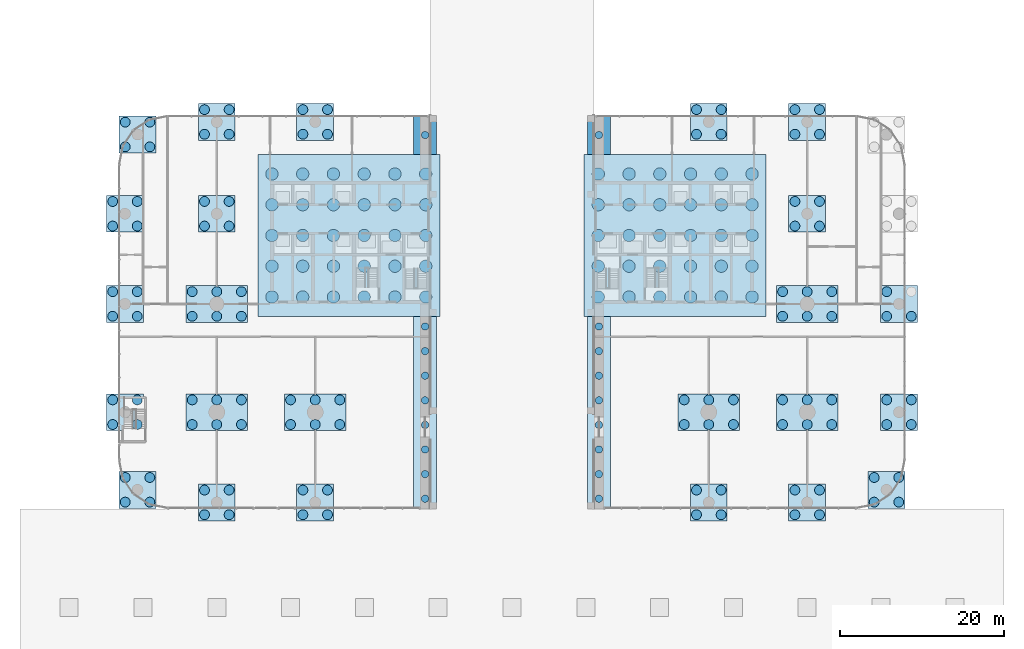
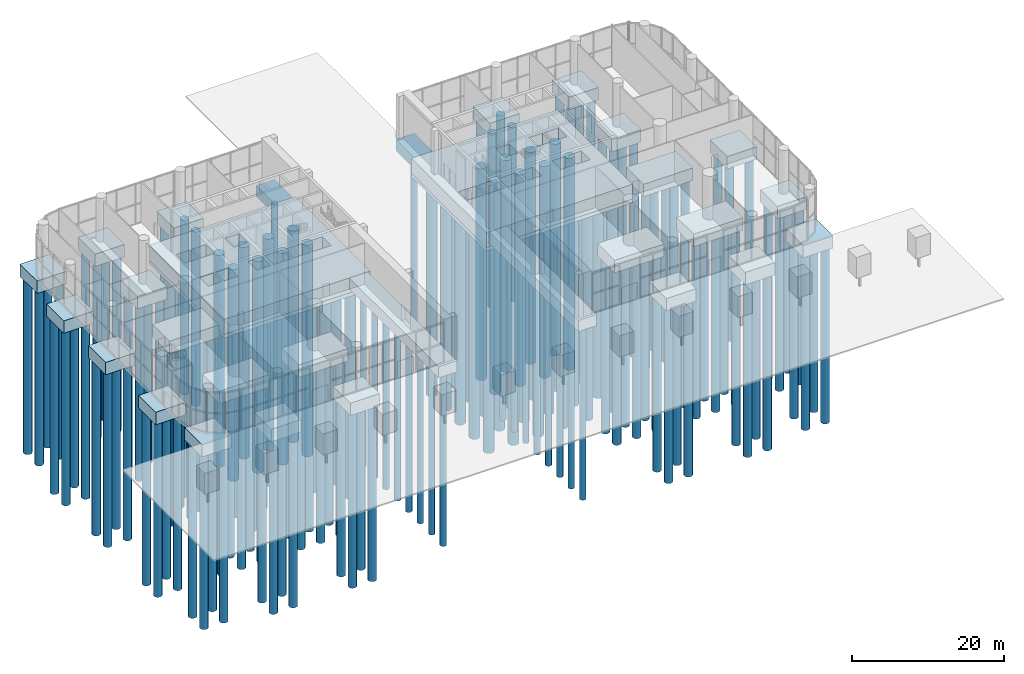
# One storey, part 1 of 26: 185 piles, 32 footings.
"""IFC4 building model written with IfcOpenShell, lengths in metres."""

from ifc_helpers import new_model, si_unit, direction, frame, origin, origin_2d, place, context, subcontext, project, spatial, polyline, rectangle, circle, outline, extrude, material, type_object, element, save


model = new_model("IFC4")

# Units and contexts
model_context = context("Model", 3, precision=1e-05, world=origin(), true_north=direction((0.0, 1.0)))
body_context = subcontext(model_context, "Body", "Model", "MODEL_VIEW")
ifc_project = project(units=[si_unit("LENGTHUNIT", "METRE"), si_unit("AREAUNIT", "SQUARE_METRE"), si_unit("VOLUMEUNIT", "CUBIC_METRE"), si_unit("PLANEANGLEUNIT", "RADIAN"), si_unit("MASSUNIT", "GRAM", prefix="KILO")], contexts=[model_context])

# Site, building, storey
site_placement = place(None, origin())
site = spatial("IfcSite", under=ifc_project, at=site_placement, CompositionType="ELEMENT")
building_placement = place(site_placement, origin())
building = spatial("IfcBuilding", under=site, at=building_placement, Name="Torana Hotel and Residences", CompositionType="ELEMENT")
storey_placement = place(building_placement, origin())
storey = spatial("IfcBuildingStorey", under=building, at=storey_placement, Name="L00", CompositionType="ELEMENT", Elevation=0.0)

# Piles
ifc_material_1 = material(Name="Concrete C50/60", Category="concrete")
pile_type_1 = type_object("IfcPileType", Name="BORED PILE D1200", PredefinedType="BORED", material=ifc_material_1)
for number, where, z_axis, x_axis, name in (
    (1, (-48.699951171875, -29.699951171875, -2.300048828125), (0.0, 0.0, -1.0), (1.0, 0.0, 0.0), "Bored pile PC1"),
    (2, (-45.699951171875, -29.699951171875, -2.300048828125), (0.0, 0.0, -1.0), (1.0, 0.0, 0.0), "Bored pile PC1"),
    (3, (-48.699951171875, -26.699951171875, -2.300048828125), (0.0, 0.0, -1.0), (1.0, 0.0, 0.0), "Bored pile PC1"),
    (4, (-45.699951171875, -26.699951171875, -2.300048828125), (0.0, 0.0, -1.0), (1.0, 0.0, 0.0), "Bored pile PC1"),
    (5, (-48.699951171875, -16.5, -2.300048828125), (0.0, 0.0, -1.0), (1.0, 0.0, 0.0), "Bored pile PC1"),
    (6, (-45.699951171875, -16.5, -2.300048828125), (0.0, 0.0, -1.0), (1.0, 0.0, 0.0), "Bored pile PC1"),
    (7, (-48.699951171875, -13.5, -2.300048828125), (0.0, 0.0, -1.0), (1.0, 0.0, 0.0), "Bored pile PC1"),
    (8, (-45.699951171875, -13.5, -2.300048828125), (0.0, 0.0, -1.0), (1.0, 0.0, 0.0), "Bored pile PC1"),
    (9, (-48.699951171875, -5.5, -2.300048828125), (0.0, 0.0, -1.0), (1.0, 0.0, 0.0), "Bored pile PC1"),
    (10, (-45.699951171875, -5.5, -2.300048828125), (0.0, 0.0, -1.0), (1.0, 0.0, 0.0), "Bored pile PC1"),
    (11, (-48.699951171875, -2.5, -2.300048828125), (0.0, 0.0, -1.0), (1.0, 0.0, 0.0), "Bored pile PC1"),
    (12, (-45.699951171875, -2.5, -2.300048828125), (0.0, 0.0, -1.0), (1.0, 0.0, 0.0), "Bored pile PC1"),
    (13, (-47.166015625, -39.166015625, -2.300048828125), (0.0, 0.0, -1.0), (1.0, 0.0, 0.0), "Bored pile PC1"),
    (14, (-44.166015625, -39.166015625, -2.300048828125), (0.0, 0.0, -1.0), (1.0, 0.0, 0.0), "Bored pile PC1"),
    (15, (-47.166015625, -36.166015625, -2.300048828125), (0.0, 0.0, -1.0), (1.0, 0.0, 0.0), "Bored pile PC1"),
    (16, (-44.166015625, -36.166015625, -2.300048828125), (0.0, 0.0, -1.0), (1.0, 0.0, 0.0), "Bored pile PC1"),
    (17, (-47.166015625, 4.166015625, -2.300048828125), (0.0, 0.0, -1.0), (1.0, 0.0, 0.0), "Bored pile PC1"),
    (18, (-44.166015625, 4.166015625, -2.300048828125), (0.0, 0.0, -1.0), (1.0, 0.0, 0.0), "Bored pile PC1"),
    (19, (-47.166015625, 7.166015625, -2.300048828125), (0.0, 0.0, -1.0), (1.0, 0.0, 0.0), "Bored pile PC1"),
    (20, (-44.166015625, 7.166015625, -2.300048828125), (0.0, 0.0, -1.0), (1.0, 0.0, 0.0), "Bored pile PC1"),
    (21, (-37.5, -40.699951171875, -2.300048828125), (0.0, 0.0, -1.0), (1.0, 0.0, 0.0), "Bored pile PC1"),
    (22, (-34.5, -40.699951171875, -2.300048828125), (0.0, 0.0, -1.0), (1.0, 0.0, 0.0), "Bored pile PC1"),
    (23, (-37.5, -37.699951171875, -2.300048828125), (0.0, 0.0, -1.0), (1.0, 0.0, 0.0), "Bored pile PC1"),
    (24, (-34.5, -37.699951171875, -2.300048828125), (0.0, 0.0, -1.0), (1.0, 0.0, 0.0), "Bored pile PC1"),
    (25, (-39.0, -29.699951171875, -2.300048828125), (0.0, 0.0, -1.0), (1.0, 0.0, 0.0), "Bored pile PC3"),
    (26, (-36.0, -29.699951171875, -2.300048828125), (0.0, 0.0, -1.0), (1.0, 0.0, 0.0), "Bored pile PC3"),
    (27, (-33.0, -29.699951171875, -2.300048828125), (0.0, 0.0, -1.0), (1.0, 0.0, 0.0), "Bored pile PC3"),
    (28, (-39.0, -26.699951171875, -2.300048828125), (0.0, 0.0, -1.0), (1.0, 0.0, 0.0), "Bored pile PC3"),
    (29, (-36.0, -26.699951171875, -2.300048828125), (0.0, 0.0, -1.0), (1.0, 0.0, 0.0), "Bored pile PC3"),
    (30, (-33.0, -26.699951171875, -2.300048828125), (0.0, 0.0, -1.0), (1.0, 0.0, 0.0), "Bored pile PC3"),
    (31, (-39.0, -16.5, -2.300048828125), (0.0, 0.0, -1.0), (1.0, 0.0, 0.0), "Bored pile PC3"),
    (32, (-36.0, -16.5, -2.300048828125), (0.0, 0.0, -1.0), (1.0, 0.0, 0.0), "Bored pile PC3"),
    (33, (-33.0, -16.5, -2.300048828125), (0.0, 0.0, -1.0), (1.0, 0.0, 0.0), "Bored pile PC3"),
    (34, (-39.0, -13.5, -2.300048828125), (0.0, 0.0, -1.0), (1.0, 0.0, 0.0), "Bored pile PC3"),
    (35, (-36.0, -13.5, -2.300048828125), (0.0, 0.0, -1.0), (1.0, 0.0, 0.0), "Bored pile PC3"),
    (36, (-33.0, -13.5, -2.300048828125), (0.0, 0.0, -1.0), (1.0, 0.0, 0.0), "Bored pile PC3"),
    (37, (-37.5, -5.5, -2.300048828125), (0.0, 0.0, -1.0), (1.0, 0.0, 0.0), "Bored pile PC1"),
    (38, (-34.5, -5.5, -2.300048828125), (0.0, 0.0, -1.0), (1.0, 0.0, 0.0), "Bored pile PC1"),
    (39, (-37.5, -2.5, -2.300048828125), (0.0, 0.0, -1.0), (1.0, 0.0, 0.0), "Bored pile PC1"),
    (40, (-34.5, -2.5, -2.300048828125), (0.0, 0.0, -1.0), (1.0, 0.0, 0.0), "Bored pile PC1"),
    (41, (-37.5, 5.699951171875, -2.300048828125), (0.0, 0.0, -1.0), (1.0, 0.0, 0.0), "Bored pile PC1"),
    (42, (-34.5, 5.699951171875, -2.300048828125), (0.0, 0.0, -1.0), (1.0, 0.0, 0.0), "Bored pile PC1"),
    (43, (-37.5, 8.699951171875, -2.300048828125), (0.0, 0.0, -1.0), (1.0, 0.0, 0.0), "Bored pile PC1"),
    (44, (-34.5, 8.699951171875, -2.300048828125), (0.0, 0.0, -1.0), (1.0, 0.0, 0.0), "Bored pile PC1"),
    (45, (-25.5, -40.699951171875, -2.300048828125), (0.0, 0.0, -1.0), (1.0, 0.0, 0.0), "Bored pile PC1"),
    (46, (-22.5, -40.699951171875, -2.300048828125), (0.0, 0.0, -1.0), (1.0, 0.0, 0.0), "Bored pile PC1"),
    (47, (-25.5, -37.699951171875, -2.300048828125), (0.0, 0.0, -1.0), (1.0, 0.0, 0.0), "Bored pile PC1"),
    (48, (-22.5, -37.699951171875, -2.300048828125), (0.0, 0.0, -1.0), (1.0, 0.0, 0.0), "Bored pile PC1"),
    (49, (-27.0, -29.699951171875, -2.300048828125), (0.0, 0.0, -1.0), (1.0, 0.0, 0.0), "Bored pile PC3"),
    (50, (-24.0, -29.699951171875, -2.300048828125), (0.0, 0.0, -1.0), (1.0, 0.0, 0.0), "Bored pile PC3"),
    (51, (-21.0, -29.699951171875, -2.300048828125), (0.0, 0.0, -1.0), (1.0, 0.0, 0.0), "Bored pile PC3"),
    (52, (-27.0, -26.699951171875, -2.300048828125), (0.0, 0.0, -1.0), (1.0, 0.0, 0.0), "Bored pile PC3"),
    (53, (-24.0, -26.699951171875, -2.300048828125), (0.0, 0.0, -1.0), (1.0, 0.0, 0.0), "Bored pile PC3"),
    (54, (-21.0, -26.699951171875, -2.300048828125), (0.0, 0.0, -1.0), (1.0, 0.0, 0.0), "Bored pile PC3"),
    (55, (-25.5, 5.699951171875, -2.300048828125), (0.0, 0.0, -1.0), (1.0, 0.0, 0.0), "Bored pile PC1"),
    (56, (-22.5, 5.699951171875, -2.300048828125), (0.0, 0.0, -1.0), (1.0, 0.0, 0.0), "Bored pile PC1"),
    (57, (-25.5, 8.699951171875, -2.300048828125), (0.0, 0.0, -1.0), (1.0, 0.0, 0.0), "Bored pile PC1"),
    (58, (-22.5, 8.699951171875, -2.300048828125), (0.0, 0.0, -1.0), (1.0, 0.0, 0.0), "Bored pile PC1"),
    (59, (22.5, -40.699951171875, -2.300048828125), (0.0, 0.0, -1.0), (1.0, 0.0, 0.0), "Bored pile PC1"),
    (60, (25.5, -40.699951171875, -2.300048828125), (0.0, 0.0, -1.0), (1.0, 0.0, 0.0), "Bored pile PC1"),
    (61, (22.5, -37.699951171875, -2.300048828125), (0.0, 0.0, -1.0), (1.0, 0.0, 0.0), "Bored pile PC1"),
    (62, (25.5, -37.699951171875, -2.300048828125), (0.0, 0.0, -1.0), (1.0, 0.0, 0.0), "Bored pile PC1"),
    (63, (21.0, -29.699951171875, -2.300048828125), (0.0, 0.0, -1.0), (1.0, 0.0, 0.0), "Bored pile PC3"),
    (64, (24.0, -29.699951171875, -2.300048828125), (0.0, 0.0, -1.0), (1.0, 0.0, 0.0), "Bored pile PC3"),
    (65, (27.0, -29.699951171875, -2.300048828125), (0.0, 0.0, -1.0), (1.0, 0.0, 0.0), "Bored pile PC3"),
    (66, (21.0, -26.699951171875, -2.300048828125), (0.0, 0.0, -1.0), (1.0, 0.0, 0.0), "Bored pile PC3"),
    (67, (24.0, -26.699951171875, -2.300048828125), (0.0, 0.0, -1.0), (1.0, 0.0, 0.0), "Bored pile PC3"),
    (68, (27.0, -26.699951171875, -2.300048828125), (0.0, 0.0, -1.0), (1.0, 0.0, 0.0), "Bored pile PC3"),
    (69, (22.5, 5.699951171875, -2.300048828125), (0.0, 0.0, -1.0), (1.0, 0.0, 0.0), "Bored pile PC1"),
    (70, (25.5, 5.699951171875, -2.300048828125), (0.0, 0.0, -1.0), (1.0, 0.0, 0.0), "Bored pile PC1"),
    (71, (22.5, 8.699951171875, -2.300048828125), (0.0, 0.0, -1.0), (1.0, 0.0, 0.0), "Bored pile PC1"),
    (72, (25.5, 8.699951171875, -2.300048828125), (0.0, 0.0, -1.0), (1.0, 0.0, 0.0), "Bored pile PC1"),
    (73, (34.5, -40.699951171875, -2.300048828125), (0.0, 0.0, -1.0), (1.0, 0.0, 0.0), "Bored pile PC1"),
    (74, (37.5, -40.699951171875, -2.300048828125), (0.0, 0.0, -1.0), (1.0, 0.0, 0.0), "Bored pile PC1"),
    (75, (34.5, -37.699951171875, -2.300048828125), (0.0, 0.0, -1.0), (1.0, 0.0, 0.0), "Bored pile PC1"),
    (76, (37.5, -37.699951171875, -2.300048828125), (0.0, 0.0, -1.0), (1.0, 0.0, 0.0), "Bored pile PC1"),
    (77, (33.0, -29.699951171875, -2.300048828125), (0.0, 0.0, -1.0), (1.0, 0.0, 0.0), "Bored pile PC3"),
    (78, (36.0, -29.699951171875, -2.300048828125), (0.0, 0.0, -1.0), (1.0, 0.0, 0.0), "Bored pile PC3"),
    (79, (39.0, -29.699951171875, -2.300048828125), (0.0, 0.0, -1.0), (1.0, 0.0, 0.0), "Bored pile PC3"),
    (80, (33.0, -26.699951171875, -2.300048828125), (0.0, 0.0, -1.0), (1.0, 0.0, 0.0), "Bored pile PC3"),
    (81, (36.0, -26.699951171875, -2.300048828125), (0.0, 0.0, -1.0), (1.0, 0.0, 0.0), "Bored pile PC3"),
    (82, (39.0, -26.699951171875, -2.300048828125), (0.0, 0.0, -1.0), (1.0, 0.0, 0.0), "Bored pile PC3"),
    (83, (33.0, -16.5, -2.300048828125), (0.0, 0.0, -1.0), (1.0, 0.0, 0.0), "Bored pile PC3"),
    (84, (36.0, -16.5, -2.300048828125), (0.0, 0.0, -1.0), (1.0, 0.0, 0.0), "Bored pile PC3"),
    (85, (39.0, -16.5, -2.300048828125), (0.0, 0.0, -1.0), (1.0, 0.0, 0.0), "Bored pile PC3"),
    (86, (33.0, -13.5, -2.300048828125), (0.0, 0.0, -1.0), (1.0, 0.0, 0.0), "Bored pile PC3"),
    (87, (36.0, -13.5, -2.300048828125), (0.0, 0.0, -1.0), (1.0, 0.0, 0.0), "Bored pile PC3"),
    (88, (39.0, -13.5, -2.300048828125), (0.0, 0.0, -1.0), (1.0, 0.0, 0.0), "Bored pile PC3"),
    (89, (34.5, -5.5, -2.300048828125), (0.0, 0.0, -1.0), (1.0, 0.0, 0.0), "Bored pile PC1"),
    (90, (37.5, -5.5, -2.300048828125), (0.0, 0.0, -1.0), (1.0, 0.0, 0.0), "Bored pile PC1"),
    (91, (34.5, -2.5, -2.300048828125), (0.0, 0.0, -1.0), (1.0, 0.0, 0.0), "Bored pile PC1"),
    (92, (37.5, -2.5, -2.300048828125), (0.0, 0.0, -1.0), (1.0, 0.0, 0.0), "Bored pile PC1"),
    (93, (34.5, 5.699951171875, -2.300048828125), (0.0, 0.0, -1.0), (1.0, 0.0, 0.0), "Bored pile PC1"),
    (94, (37.5, 5.699951171875, -2.300048828125), (0.0, 0.0, -1.0), (1.0, 0.0, 0.0), "Bored pile PC1"),
    (95, (34.5, 8.699951171875, -2.300048828125), (0.0, 0.0, -1.0), (1.0, 0.0, 0.0), "Bored pile PC1"),
    (96, (37.5, 8.699951171875, -2.300048828125), (0.0, 0.0, -1.0), (1.0, 0.0, 0.0), "Bored pile PC1"),
    (97, (44.166015625, -39.166015625, -2.300048828125), (0.0, 0.0, -1.0), (1.0, 0.0, 0.0), "Bored pile PC1"),
    (98, (47.166015625, -39.166015625, -2.300048828125), (0.0, 0.0, -1.0), (1.0, 0.0, 0.0), "Bored pile PC1"),
    (99, (44.166015625, -36.166015625, -2.300048828125), (0.0, 0.0, -1.0), (1.0, 0.0, 0.0), "Bored pile PC1"),
    (100, (47.166015625, -36.166015625, -2.300048828125), (0.0, 0.0, -1.0), (1.0, 0.0, 0.0), "Bored pile PC1"),
    (101, (45.699951171875, -29.699951171875, -2.300048828125), (0.0, 0.0, -1.0), (1.0, 0.0, 0.0), "Bored pile PC1"),
    (102, (48.699951171875, -29.699951171875, -2.300048828125), (0.0, 0.0, -1.0), (1.0, 0.0, 0.0), "Bored pile PC1"),
    (103, (45.699951171875, -26.699951171875, -2.300048828125), (0.0, 0.0, -1.0), (1.0, 0.0, 0.0), "Bored pile PC1"),
    (104, (48.699951171875, -26.699951171875, -2.300048828125), (0.0, 0.0, -1.0), (1.0, 0.0, 0.0), "Bored pile PC1"),
    (105, (45.699951171875, -16.5, -2.300048828125), (0.0, 0.0, -1.0), (1.0, 0.0, 0.0), "Bored pile PC1"),
    (106, (48.699951171875, -16.5, -2.300048828125), (0.0, 0.0, -1.0), (1.0, 0.0, 0.0), "Bored pile PC1"),
    (107, (45.699951171875, -13.5, -2.300048828125), (0.0, 0.0, -1.0), (1.0, 0.0, 0.0), "Bored pile PC1"),
):
    element("IfcPile", number, at=place(storey_placement, frame(where, z_axis=z_axis, x_axis=x_axis)), inside=storey, type_object=pile_type_1, Name=name, PredefinedType="BORED", context=body_context, shape_type="SweptSolid", body=[
        extrude(circle(Radius=0.60009765625, at=origin_2d()), origin(), (0.0, 0.0, 1.0), 28.0),
    ])
ifc_material_2 = material(Name="Concrete C50/60", Category="concrete")
pile_type_2 = type_object("IfcPileType", Name="BORED PILE D1500", PredefinedType="BORED", material=ifc_material_2)
for number, where, z_axis, x_axis, name in (
    (108, (-29.27490234375, -14.14990234375, -3.300048828125), (0.0, 0.0, -1.0), (1.0, 0.0, 0.0), "Bored pile W1"),
    (109, (-29.27490234375, -10.39990234375, -3.300048828125), (0.0, 0.0, -1.0), (1.0, 0.0, 0.0), "Bored pile W2"),
    (110, (-29.27490234375, -6.64990234375, -3.300048828125), (0.0, 0.0, -1.0), (1.0, 0.0, 0.0), "Bored pile W3"),
    (111, (-29.27490234375, -2.89990234375, -3.300048828125), (0.0, 0.0, -1.0), (1.0, 0.0, 0.0), "Bored pile W4"),
    (112, (-29.27490234375, 0.85009765625, -3.300048828125), (0.0, 0.0, -1.0), (1.0, 0.0, 0.0), "Bored pile W5"),
    (113, (-25.52490234375, -14.14990234375, -3.300048828125), (0.0, 0.0, -1.0), (1.0, 0.0, 0.0), "Bored pile W6"),
    (114, (-25.52490234375, -10.39990234375, -3.300048828125), (0.0, 0.0, -1.0), (1.0, 0.0, 0.0), "Bored pile W7"),
    (115, (-25.52490234375, -6.64990234375, -3.300048828125), (0.0, 0.0, -1.0), (1.0, 0.0, 0.0), "Bored pile W8"),
    (116, (-25.52490234375, -2.89990234375, -3.300048828125), (0.0, 0.0, -1.0), (1.0, 0.0, 0.0), "Bored pile W9"),
    (117, (-25.52490234375, 0.85009765625, -3.300048828125), (0.0, 0.0, -1.0), (1.0, 0.0, 0.0), "Bored pile W10"),
    (118, (-21.77490234375, -14.14990234375, -3.300048828125), (0.0, 0.0, -1.0), (1.0, 0.0, 0.0), "Bored pile W11"),
    (119, (-21.77490234375, -10.39990234375, -3.300048828125), (0.0, 0.0, -1.0), (1.0, 0.0, 0.0), "Bored pile W12"),
    (120, (-21.77490234375, -6.64990234375, -3.300048828125), (0.0, 0.0, -1.0), (1.0, 0.0, 0.0), "Bored pile W13"),
    (121, (-21.77490234375, -2.89990234375, -3.300048828125), (0.0, 0.0, -1.0), (1.0, 0.0, 0.0), "Bored pile W14"),
    (122, (-21.77490234375, 0.85009765625, -3.300048828125), (0.0, 0.0, -1.0), (1.0, 0.0, 0.0), "Bored pile W15"),
    (123, (-18.02490234375, -14.14990234375, -3.300048828125), (0.0, 0.0, -1.0), (1.0, 0.0, 0.0), "Bored pile W16"),
    (124, (-18.02490234375, -10.39990234375, -3.300048828125), (0.0, 0.0, -1.0), (1.0, 0.0, 0.0), "Bored pile W17"),
    (125, (-18.02490234375, -6.64990234375, -3.300048828125), (0.0, 0.0, -1.0), (1.0, 0.0, 0.0), "Bored pile W18"),
    (126, (-18.02490234375, -2.89990234375, -3.300048828125), (0.0, 0.0, -1.0), (1.0, 0.0, 0.0), "Bored pile W19"),
    (127, (-18.02490234375, 0.85009765625, -3.300048828125), (0.0, 0.0, -1.0), (1.0, 0.0, 0.0), "Bored pile W20"),
    (128, (-14.27490234375, -14.14990234375, -3.300048828125), (0.0, 0.0, -1.0), (1.0, 0.0, 0.0), "Bored pile W21"),
    (129, (-14.27490234375, -10.39990234375, -3.300048828125), (0.0, 0.0, -1.0), (1.0, 0.0, 0.0), "Bored pile W22"),
    (130, (-14.27490234375, -6.64990234375, -3.300048828125), (0.0, 0.0, -1.0), (1.0, 0.0, 0.0), "Bored pile W23"),
    (131, (-14.27490234375, -2.89990234375, -3.300048828125), (0.0, 0.0, -1.0), (1.0, 0.0, 0.0), "Bored pile W24"),
    (132, (-14.27490234375, 0.85009765625, -3.300048828125), (0.0, 0.0, -1.0), (1.0, 0.0, 0.0), "Bored pile W25"),
    (133, (-10.52490234375, -14.14990234375, -3.300048828125), (0.0, 0.0, -1.0), (1.0, 0.0, 0.0), "Bored pile W26"),
    (134, (-10.52490234375, -10.39990234375, -3.300048828125), (0.0, 0.0, -1.0), (1.0, 0.0, 0.0), "Bored pile W27"),
    (135, (-10.52490234375, -6.64990234375, -3.300048828125), (0.0, 0.0, -1.0), (1.0, 0.0, 0.0), "Bored pile W28"),
    (136, (-10.52490234375, -2.89990234375, -3.300048828125), (0.0, 0.0, -1.0), (1.0, 0.0, 0.0), "Bored pile W29"),
    (137, (-10.52490234375, 0.85009765625, -3.300048828125), (0.0, 0.0, -1.0), (1.0, 0.0, 0.0), "Bored pile W30"),
    (138, (10.52490234375, -14.14990234375, -3.300048828125), (0.0, 0.0, -1.0), (1.0, 0.0, 0.0), "Bored pile E1"),
    (139, (10.52490234375, -10.39990234375, -3.300048828125), (0.0, 0.0, -1.0), (1.0, 0.0, 0.0), "Bored pile E2"),
    (140, (10.52490234375, -6.64990234375, -3.300048828125), (0.0, 0.0, -1.0), (1.0, 0.0, 0.0), "Bored pile E3"),
    (141, (10.52490234375, -2.89990234375, -3.300048828125), (0.0, 0.0, -1.0), (1.0, 0.0, 0.0), "Bored pile E4"),
    (142, (10.52490234375, 0.85009765625, -3.300048828125), (0.0, 0.0, -1.0), (1.0, 0.0, 0.0), "Bored pile E5"),
    (143, (14.27490234375, -14.14990234375, -3.300048828125), (0.0, 0.0, -1.0), (1.0, 0.0, 0.0), "Bored pile E6"),
    (144, (14.27490234375, -10.39990234375, -3.300048828125), (0.0, 0.0, -1.0), (1.0, 0.0, 0.0), "Bored pile E7"),
    (145, (14.27490234375, -6.64990234375, -3.300048828125), (0.0, 0.0, -1.0), (1.0, 0.0, 0.0), "Bored pile E8"),
    (146, (14.27490234375, -2.89990234375, -3.300048828125), (0.0, 0.0, -1.0), (1.0, 0.0, 0.0), "Bored pile E9"),
    (147, (14.27490234375, 0.85009765625, -3.300048828125), (0.0, 0.0, -1.0), (1.0, 0.0, 0.0), "Bored pile E10"),
    (148, (18.02490234375, -14.14990234375, -3.300048828125), (0.0, 0.0, -1.0), (1.0, 0.0, 0.0), "Bored pile E11"),
    (149, (18.02490234375, -10.39990234375, -3.300048828125), (0.0, 0.0, -1.0), (1.0, 0.0, 0.0), "Bored pile E12"),
    (150, (18.02490234375, -6.64990234375, -3.300048828125), (0.0, 0.0, -1.0), (1.0, 0.0, 0.0), "Bored pile E13"),
    (151, (18.02490234375, -2.89990234375, -3.300048828125), (0.0, 0.0, -1.0), (1.0, 0.0, 0.0), "Bored pile E14"),
    (152, (18.02490234375, 0.85009765625, -3.300048828125), (0.0, 0.0, -1.0), (1.0, 0.0, 0.0), "Bored pile E15"),
    (153, (21.77490234375, -14.14990234375, -3.300048828125), (0.0, 0.0, -1.0), (1.0, 0.0, 0.0), "Bored pile E16"),
    (154, (21.77490234375, -10.39990234375, -3.300048828125), (0.0, 0.0, -1.0), (1.0, 0.0, 0.0), "Bored pile E17"),
    (155, (21.77490234375, -6.64990234375, -3.300048828125), (0.0, 0.0, -1.0), (1.0, 0.0, 0.0), "Bored pile E18"),
    (156, (21.77490234375, -2.89990234375, -3.300048828125), (0.0, 0.0, -1.0), (1.0, 0.0, 0.0), "Bored pile E19"),
    (157, (21.77490234375, 0.85009765625, -3.300048828125), (0.0, 0.0, -1.0), (1.0, 0.0, 0.0), "Bored pile E20"),
    (158, (25.52490234375, -14.14990234375, -3.300048828125), (0.0, 0.0, -1.0), (1.0, 0.0, 0.0), "Bored pile E21"),
    (159, (25.52490234375, -10.39990234375, -3.300048828125), (0.0, 0.0, -1.0), (1.0, 0.0, 0.0), "Bored pile E22"),
    (160, (25.52490234375, -6.64990234375, -3.300048828125), (0.0, 0.0, -1.0), (1.0, 0.0, 0.0), "Bored pile E23"),
    (161, (25.52490234375, -2.89990234375, -3.300048828125), (0.0, 0.0, -1.0), (1.0, 0.0, 0.0), "Bored pile E24"),
    (162, (25.52490234375, 0.85009765625, -3.300048828125), (0.0, 0.0, -1.0), (1.0, 0.0, 0.0), "Bored pile E25"),
    (163, (29.27490234375, -14.14990234375, -3.300048828125), (0.0, 0.0, -1.0), (1.0, 0.0, 0.0), "Bored pile E26"),
    (164, (29.27490234375, -10.39990234375, -3.300048828125), (0.0, 0.0, -1.0), (1.0, 0.0, 0.0), "Bored pile E27"),
    (165, (29.27490234375, -6.64990234375, -3.300048828125), (0.0, 0.0, -1.0), (1.0, 0.0, 0.0), "Bored pile E28"),
    (166, (29.27490234375, -2.89990234375, -3.300048828125), (0.0, 0.0, -1.0), (1.0, 0.0, 0.0), "Bored pile E29"),
    (167, (29.27490234375, 0.85009765625, -3.300048828125), (0.0, 0.0, -1.0), (1.0, 0.0, 0.0), "Bored pile E30"),
):
    element("IfcPile", number, at=place(storey_placement, frame(where, z_axis=z_axis, x_axis=x_axis)), inside=storey, type_object=pile_type_2, Name=name, PredefinedType="BORED", context=body_context, shape_type="SweptSolid", body=[
        extrude(circle(Radius=0.75, at=origin_2d()), origin(), (0.0, 0.0, 1.0), 34.0),
    ])
ifc_material_3 = material(Name="Concrete C50/60", Category="concrete")
pile_type_3 = type_object("IfcPileType", Name="BORED PILE D900", PredefinedType="BORED", material=ifc_material_3)
for number, where, z_axis, x_axis, name in (
    (168, (-10.60009765625, -38.75, -2.10009765625), (0.0, 0.0, -1.0), (1.0, 0.0, 0.0), "Bored pile strip"),
    (169, (-10.60009765625, -35.75, -2.10009765625), (0.0, 0.0, -1.0), (1.0, 0.0, 0.0), "Bored pile strip"),
    (170, (-10.60009765625, -32.75, -2.10009765625), (0.0, 0.0, -1.0), (1.0, 0.0, 0.0), "Bored pile strip"),
    (171, (-10.60009765625, -29.75, -2.10009765625), (0.0, 0.0, -1.0), (1.0, 0.0, 0.0), "Bored pile strip"),
    (172, (-10.60009765625, -26.75, -2.10009765625), (0.0, 0.0, -1.0), (1.0, 0.0, 0.0), "Bored pile strip"),
    (173, (-10.60009765625, -23.75, -2.10009765625), (0.0, 0.0, -1.0), (1.0, 0.0, 0.0), "Bored pile strip"),
    (174, (-10.60009765625, -20.75, -2.10009765625), (0.0, 0.0, -1.0), (1.0, 0.0, 0.0), "Bored pile strip"),
    (175, (-10.60009765625, -17.75, -2.10009765625), (0.0, 0.0, -1.0), (1.0, 0.0, 0.0), "Bored pile strip"),
    (176, (-10.60009765625, 5.60009765625, -2.10009765625), (0.0, 0.0, -1.0), (1.0, 0.0, 0.0), "Bored pile strip"),
    (177, (10.60009765625, -38.75, -2.10009765625), (0.0, 0.0, -1.0), (1.0, 0.0, 0.0), "Bored pile strip"),
    (178, (10.60009765625, -35.75, -2.10009765625), (0.0, 0.0, -1.0), (1.0, 0.0, 0.0), "Bored pile strip"),
    (179, (10.60009765625, -32.75, -2.10009765625), (0.0, 0.0, -1.0), (1.0, 0.0, 0.0), "Bored pile strip"),
    (180, (10.60009765625, -29.75, -2.10009765625), (0.0, 0.0, -1.0), (1.0, 0.0, 0.0), "Bored pile strip"),
    (181, (10.60009765625, -26.75, -2.10009765625), (0.0, 0.0, -1.0), (1.0, 0.0, 0.0), "Bored pile strip"),
    (182, (10.60009765625, -23.75, -2.10009765625), (0.0, 0.0, -1.0), (1.0, 0.0, 0.0), "Bored pile strip"),
    (183, (10.60009765625, -20.75, -2.10009765625), (0.0, 0.0, -1.0), (1.0, 0.0, 0.0), "Bored pile strip"),
    (184, (10.60009765625, -17.75, -2.10009765625), (0.0, 0.0, -1.0), (1.0, 0.0, 0.0), "Bored pile strip"),
    (185, (10.60009765625, 5.60009765625, -2.10009765625), (0.0, 0.0, -1.0), (1.0, 0.0, 0.0), "Bored pile strip"),
):
    element("IfcPile", number, at=place(storey_placement, frame(where, z_axis=z_axis, x_axis=x_axis)), inside=storey, type_object=pile_type_3, Name=name, PredefinedType="BORED", context=body_context, shape_type="SweptSolid", body=[
        extrude(circle(Radius=0.449951171875, at=origin_2d()), origin(), (0.0, 0.0, 1.0), 28.0),
    ])

# Footings
ifc_material_4 = material(Name="Concrete C50/60", Category="concrete")
footing_type_1 = type_object("IfcFootingType", Name="CORE RAFT CR1", PredefinedType="PILE_CAP", material=ifc_material_4)
footing_1_placement = place(storey_placement, frame((0.0, 0.0, -2.699951171875)))
element("IfcFooting", 186, at=footing_1_placement, inside=storey, type_object=footing_type_1, Name="Core raft west", PredefinedType="PILE_CAP", context=body_context, shape_type="SweptSolid", body=[
    extrude(outline(polyline([(-31.0, -16.5), (-8.800048828125, -16.5), (-8.800048828125, 3.199951171875), (-31.0, 3.199951171875), (-31.0, -16.5)]), holes=[polyline([(-26.60009765625, -2.75), (-24.5, -2.75), (-24.5, -0.449951171875), (-26.60009765625, -0.449951171875), (-26.60009765625, -2.75)]), polyline([(-29.0, -2.75), (-26.89990234375, -2.75), (-26.89990234375, -0.449951171875), (-29.0, -0.449951171875), (-29.0, -2.75)]), polyline([(-26.60009765625, -8.85009765625), (-24.5, -8.85009765625), (-24.5, -6.550048828125), (-26.60009765625, -6.550048828125), (-26.60009765625, -8.85009765625)]), polyline([(-29.0, -8.85009765625), (-26.89990234375, -8.85009765625), (-26.89990234375, -6.550048828125), (-29.0, -6.550048828125), (-29.0, -8.85009765625)]), polyline([(-21.60009765625, -2.75), (-19.5, -2.75), (-19.5, -0.449951171875), (-21.60009765625, -0.449951171875), (-21.60009765625, -2.75)]), polyline([(-21.60009765625, -8.85009765625), (-19.5, -8.85009765625), (-19.5, -6.550048828125), (-21.60009765625, -6.550048828125), (-21.60009765625, -8.85009765625)]), polyline([(-13.050048828125, -8.85009765625), (-10.35009765625, -8.85009765625), (-10.35009765625, -6.550048828125), (-13.050048828125, -6.550048828125), (-13.050048828125, -8.85009765625)]), polyline([(-16.050048828125, -8.85009765625), (-13.35009765625, -8.85009765625), (-13.35009765625, -6.550048828125), (-16.050048828125, -6.550048828125), (-16.050048828125, -8.85009765625)]), polyline([(-19.050048828125, -8.85009765625), (-16.35009765625, -8.85009765625), (-16.35009765625, -6.550048828125), (-19.050048828125, -6.550048828125), (-19.050048828125, -8.85009765625)])]), origin(), (0.0, 0.0, 1.0), 2.39990234375),
])
footing_2_placement = place(storey_placement, frame((0.0, 0.0, -2.699951171875)))
element("IfcFooting", 187, at=footing_2_placement, inside=storey, type_object=footing_type_1, Name="Core raft east", PredefinedType="PILE_CAP", context=body_context, shape_type="SweptSolid", body=[
    extrude(outline(polyline([(8.800048828125, -16.5), (31.0, -16.5), (31.0, 3.199951171875), (8.800048828125, 3.199951171875), (8.800048828125, -16.5)]), holes=[polyline([(24.5, -2.75), (26.60009765625, -2.75), (26.60009765625, -0.449951171875), (24.5, -0.449951171875), (24.5, -2.75)]), polyline([(26.89990234375, -2.75), (29.0, -2.75), (29.0, -0.449951171875), (26.89990234375, -0.449951171875), (26.89990234375, -2.75)]), polyline([(24.5, -8.85009765625), (26.60009765625, -8.85009765625), (26.60009765625, -6.550048828125), (24.5, -6.550048828125), (24.5, -8.85009765625)]), polyline([(26.89990234375, -8.85009765625), (29.0, -8.85009765625), (29.0, -6.550048828125), (26.89990234375, -6.550048828125), (26.89990234375, -8.85009765625)]), polyline([(19.5, -2.75), (21.60009765625, -2.75), (21.60009765625, -0.449951171875), (19.5, -0.449951171875), (19.5, -2.75)]), polyline([(19.5, -8.85009765625), (21.60009765625, -8.85009765625), (21.60009765625, -6.550048828125), (19.5, -6.550048828125), (19.5, -8.85009765625)]), polyline([(10.35009765625, -8.85009765625), (13.050048828125, -8.85009765625), (13.050048828125, -6.550048828125), (10.35009765625, -6.550048828125), (10.35009765625, -8.85009765625)]), polyline([(13.35009765625, -8.85009765625), (16.050048828125, -8.85009765625), (16.050048828125, -6.550048828125), (13.35009765625, -6.550048828125), (13.35009765625, -8.85009765625)]), polyline([(16.35009765625, -8.85009765625), (19.050048828125, -8.85009765625), (19.050048828125, -6.550048828125), (16.35009765625, -6.550048828125), (16.35009765625, -8.85009765625)])]), origin(), (0.0, 0.0, 1.0), 2.39990234375),
])
ifc_material_5 = material(Name="Concrete C50/60", Category="concrete")
footing_type_2 = type_object("IfcFootingType", Name="CORE RAFT CR2", PredefinedType="PILE_CAP", material=ifc_material_5)
footing_3_placement = place(storey_placement, frame((0.0, 0.0, -3.300048828125)))
element("IfcFooting", 188, at=footing_3_placement, inside=storey, type_object=footing_type_2, Name="Core raft base west", PredefinedType="PILE_CAP", context=body_context, shape_type="SweptSolid", body=[
    extrude(outline(polyline([(-31.0, -16.5), (-8.800048828125, -16.5), (-8.800048828125, 3.199951171875), (-31.0, 3.199951171875), (-31.0, -16.5)])), origin(), (0.0, 0.0, 1.0), 0.60009765625),
])
footing_4_placement = place(storey_placement, frame((0.0, 0.0, -3.300048828125)))
element("IfcFooting", 189, at=footing_4_placement, inside=storey, type_object=footing_type_2, Name="Core raft base east", PredefinedType="PILE_CAP", context=body_context, shape_type="SweptSolid", body=[
    extrude(outline(polyline([(8.800048828125, -16.5), (31.0, -16.5), (31.0, 3.199951171875), (8.800048828125, 3.199951171875), (8.800048828125, -16.5)])), origin(), (0.0, 0.0, 1.0), 0.60009765625),
])
ifc_material_6 = material(Name="Concrete C50/60", Category="concrete")
footing_type_3 = type_object("IfcFootingType", Name="PILE CAP PC1 4.50x4.50", PredefinedType="PILE_CAP", material=ifc_material_6)
for number, where, z_axis, x_axis, name in (
    (190, (-47.199951171875, -28.199951171875, -2.300048828125), (0.0, 0.0, 1.0), (1.0, 0.0, 0.0), "Pile cap PC1"),
    (191, (-47.199951171875, -15.0, -2.300048828125), (0.0, 0.0, 1.0), (1.0, 0.0, 0.0), "Pile cap PC1"),
    (192, (-47.199951171875, -4.0, -2.300048828125), (0.0, 0.0, 1.0), (1.0, 0.0, 0.0), "Pile cap PC1"),
    (193, (-45.666015625, -37.666015625, -2.300048828125), (0.0, 0.0, 1.0), (1.0, 0.0, 0.0), "Pile cap PC1"),
    (194, (-45.666015625, 5.666015625, -2.300048828125), (0.0, 0.0, 1.0), (1.0, 0.0, 0.0), "Pile cap PC1"),
    (195, (-36.0, -39.199951171875, -2.300048828125), (0.0, 0.0, 1.0), (1.0, 0.0, 0.0), "Pile cap PC1"),
    (196, (-36.0, -4.0, -2.300048828125), (0.0, 0.0, 1.0), (1.0, 0.0, 0.0), "Pile cap PC1"),
    (197, (-36.0, 7.199951171875, -2.300048828125), (0.0, 0.0, 1.0), (1.0, 0.0, 0.0), "Pile cap PC1"),
    (198, (-24.0, -39.199951171875, -2.300048828125), (0.0, 0.0, 1.0), (1.0, 0.0, 0.0), "Pile cap PC1"),
    (199, (-24.0, 7.199951171875, -2.300048828125), (0.0, 0.0, 1.0), (1.0, 0.0, 0.0), "Pile cap PC1"),
    (200, (24.0, -39.199951171875, -2.300048828125), (0.0, 0.0, 1.0), (1.0, 0.0, 0.0), "Pile cap PC1"),
    (201, (24.0, 7.199951171875, -2.300048828125), (0.0, 0.0, 1.0), (1.0, 0.0, 0.0), "Pile cap PC1"),
    (202, (36.0, -39.199951171875, -2.300048828125), (0.0, 0.0, 1.0), (1.0, 0.0, 0.0), "Pile cap PC1"),
    (203, (36.0, -4.0, -2.300048828125), (0.0, 0.0, 1.0), (1.0, 0.0, 0.0), "Pile cap PC1"),
    (204, (36.0, 7.199951171875, -2.300048828125), (0.0, 0.0, 1.0), (1.0, 0.0, 0.0), "Pile cap PC1"),
    (205, (45.666015625, -37.666015625, -2.300048828125), (0.0, 0.0, 1.0), (1.0, 0.0, 0.0), "Pile cap PC1"),
    (206, (47.199951171875, -28.199951171875, -2.300048828125), (0.0, 0.0, 1.0), (1.0, 0.0, 0.0), "Pile cap PC1"),
    (207, (47.199951171875, -15.0, -2.300048828125), (0.0, 0.0, 1.0), (1.0, 0.0, 0.0), "Pile cap PC1"),
):
    element("IfcFooting", number, at=place(storey_placement, frame(where, z_axis=z_axis, x_axis=x_axis)), inside=storey, type_object=footing_type_3, Name=name, PredefinedType="PILE_CAP", context=body_context, shape_type="SweptSolid", body=[
        extrude(rectangle(XDim=4.5, YDim=4.5, at=origin_2d()), origin(), (0.0, 0.0, 1.0), 2.0),
    ])
ifc_material_7 = material(Name="Concrete C50/60", Category="concrete")
footing_type_4 = type_object("IfcFootingType", Name="PILE CAP PC3 7.50x4.50", PredefinedType="PILE_CAP", material=ifc_material_7)
for number, where, z_axis, x_axis, name in (
    (208, (-36.0, -28.199951171875, -2.300048828125), (0.0, 0.0, 1.0), (1.0, 0.0, 0.0), "Pile cap PC3"),
    (209, (-36.0, -15.0, -2.300048828125), (0.0, 0.0, 1.0), (1.0, 0.0, 0.0), "Pile cap PC3"),
    (210, (-24.0, -28.199951171875, -2.300048828125), (0.0, 0.0, 1.0), (1.0, 0.0, 0.0), "Pile cap PC3"),
    (211, (24.0, -28.199951171875, -2.300048828125), (0.0, 0.0, 1.0), (1.0, 0.0, 0.0), "Pile cap PC3"),
    (212, (36.0, -28.199951171875, -2.300048828125), (0.0, 0.0, 1.0), (1.0, 0.0, 0.0), "Pile cap PC3"),
    (213, (36.0, -15.0, -2.300048828125), (0.0, 0.0, 1.0), (1.0, 0.0, 0.0), "Pile cap PC3"),
):
    element("IfcFooting", number, at=place(storey_placement, frame(where, z_axis=z_axis, x_axis=x_axis)), inside=storey, type_object=footing_type_4, Name=name, PredefinedType="PILE_CAP", context=body_context, shape_type="SweptSolid", body=[
        extrude(rectangle(XDim=7.5, YDim=4.5, at=origin_2d()), origin(), (0.0, 0.0, 1.0), 2.0),
    ])
ifc_material_8 = material(Name="Concrete C50/60", Category="concrete")
footing_type_5 = type_object("IfcFootingType", Name="STRIP FOOTING SF1", PredefinedType="STRIP_FOOTING", material=ifc_material_8)
footing_5_placement = place(storey_placement, frame((0.0, 0.0, -2.10009765625)))
element("IfcFooting", 214, at=footing_5_placement, inside=storey, type_object=footing_type_5, Name="Strip footing", PredefinedType="STRIP_FOOTING", context=body_context, shape_type="SweptSolid", body=[
    extrude(outline(polyline([(-12.0, -40.0), (-9.199951171875, -40.0), (-9.199951171875, -16.5), (-12.0, -16.5), (-12.0, -40.0)])), origin(), (0.0, 0.0, 1.0), 1.800048828125),
])
footing_6_placement = place(storey_placement, frame((0.0, 0.0, -2.10009765625)))
element("IfcFooting", 215, at=footing_6_placement, inside=storey, type_object=footing_type_5, Name="Strip footing", PredefinedType="STRIP_FOOTING", context=body_context, shape_type="SweptSolid", body=[
    extrude(outline(polyline([(-12.0, 3.199951171875), (-9.199951171875, 3.199951171875), (-9.199951171875, 8.0), (-12.0, 8.0), (-12.0, 3.199951171875)])), origin(), (0.0, 0.0, 1.0), 1.800048828125),
])
footing_7_placement = place(storey_placement, frame((0.0, 0.0, -2.10009765625)))
element("IfcFooting", 216, at=footing_7_placement, inside=storey, type_object=footing_type_5, Name="Strip footing", PredefinedType="STRIP_FOOTING", context=body_context, shape_type="SweptSolid", body=[
    extrude(outline(polyline([(9.199951171875, -40.0), (12.0, -40.0), (12.0, -16.5), (9.199951171875, -16.5), (9.199951171875, -40.0)])), origin(), (0.0, 0.0, 1.0), 1.800048828125),
])
footing_8_placement = place(storey_placement, frame((0.0, 0.0, -2.10009765625)))
element("IfcFooting", 217, at=footing_8_placement, inside=storey, type_object=footing_type_5, Name="Strip footing", PredefinedType="STRIP_FOOTING", context=body_context, shape_type="SweptSolid", body=[
    extrude(outline(polyline([(9.199951171875, 3.199951171875), (12.0, 3.199951171875), (12.0, 8.0), (9.199951171875, 8.0), (9.199951171875, 3.199951171875)])), origin(), (0.0, 0.0, 1.0), 1.800048828125),
])

save(model, "model.ifc")
